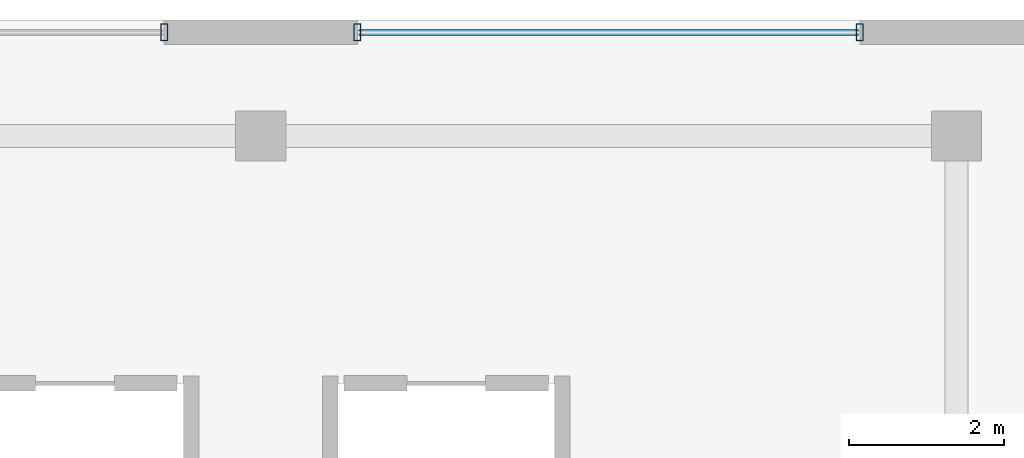
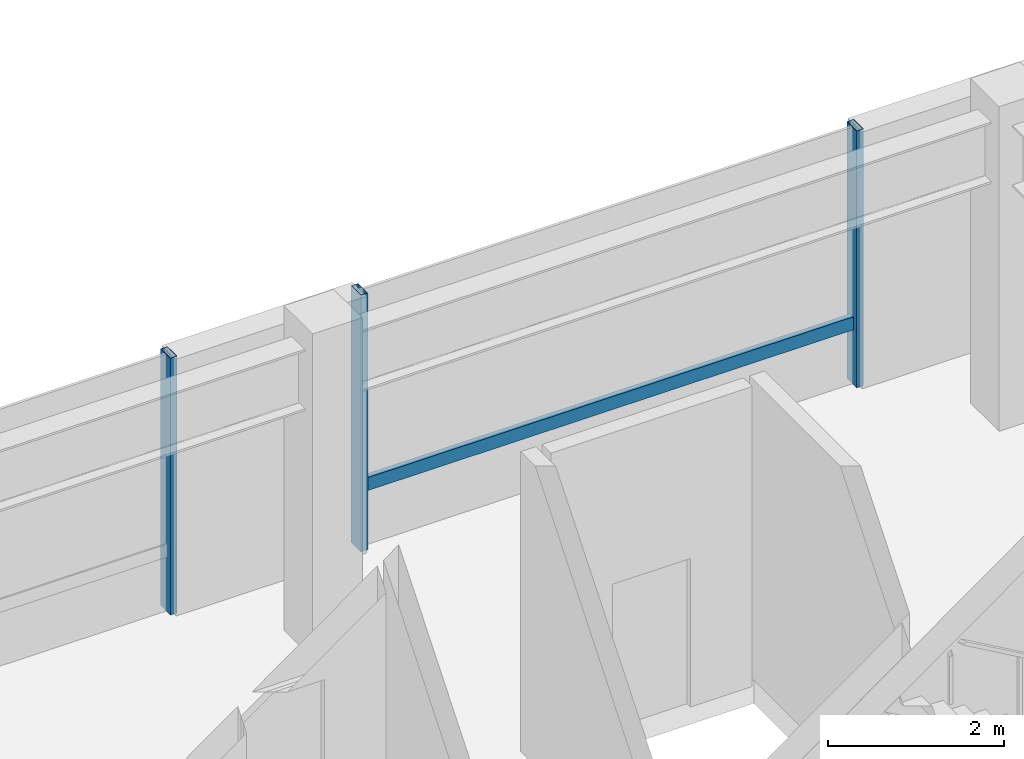
# One storey, part 6 of 22: 4 members, 2 elements without a shape of their own.
"""IFC4 building model written with IfcOpenShell, lengths in metres."""

from ifc_helpers import new_model, si_unit, direction, frame, origin, origin_2d, place, context, subcontext, project, spatial, hollow_rectangle, extrude, material, material_profile, profile_set, type_object, element, aggregate, save


model = new_model("IFC4")

# Units and contexts
model_context = context("Model", 3, precision=1e-05, world=origin(), true_north=direction((0.0, 1.0)))
body_context = subcontext(model_context, "Body", "Model", "MODEL_VIEW")
ifc_project = project(units=[si_unit("LENGTHUNIT", "METRE"), si_unit("AREAUNIT", "SQUARE_METRE"), si_unit("VOLUMEUNIT", "CUBIC_METRE"), si_unit("PLANEANGLEUNIT", "RADIAN"), si_unit("MASSUNIT", "GRAM", prefix="KILO")], contexts=[model_context])

# Site, building, storey
site_placement = place(None, origin())
site = spatial("IfcSite", under=ifc_project, at=site_placement, CompositionType="ELEMENT")
building_placement = place(site_placement, origin())
building = spatial("IfcBuilding", under=site, at=building_placement, Name="Thornwick Lancets Civic Towers", CompositionType="ELEMENT")
storey_placement = place(building_placement, frame((0.0, 0.0, 18.60009765625)))
storey = spatial("IfcBuildingStorey", under=building, at=storey_placement, Name="L04", CompositionType="ELEMENT", Elevation=18.60009765625)

# Curtain wall, members
ifc_material_1 = material(Name="Terracotta-trimmed cascading podium ribbon curtain wall", Category="masonry")
curtain_wall_type = type_object("IfcCurtainWallType", Name="CW_SYS_02", PredefinedType="NOTDEFINED", material=ifc_material_1)
curtain_wall_1_placement = place(storey_placement, origin())
curtain_wall_1 = element("IfcCurtainWall", 1, at=curtain_wall_1_placement, inside=storey, type_object=curtain_wall_type, Name="L04 Curtain Wall CW-L04-POD-NC-S2", PredefinedType="NOTDEFINED")
ifc_material_2 = material(Name="Thermally broken bronze aluminium S355", Category="steel")
ifc_material_profile_1 = material_profile(ifc_material_2, hollow_rectangle(XDim=0.090087890625, YDim=0.219970703125, WallThickness=0.00634765625, at=origin_2d()), Name="RHS 220x90x6.3")
ifc_profile_set_1 = profile_set([ifc_material_profile_1], Name="Thermally broken bronze aluminium S355")
member_type_1 = type_object("IfcMemberType", Name="CW_MUL_220", PredefinedType="MULLION", material=ifc_profile_set_1)
member_1_placement = place(storey_placement, frame((64.75, 49.340087890625, 0.0), z_axis=(0.0, 0.0, 1.0), x_axis=(1.0, 0.0, 0.0)))
member_1 = element("IfcMember", 2, at=member_1_placement, type_object=member_type_1, Name="CW-L04-POD-NC-S2 Mullion 0", PredefinedType="MULLION", context=body_context, shape_type="SweptSolid", body=[
    extrude(hollow_rectangle(XDim=0.090087890625, YDim=0.219970703125, WallThickness=0.00634765625, at=origin_2d()), origin(), (0.0, 0.0, 1.0), 3.559814453125),
])
member_2_placement = place(storey_placement, frame((58.25, 49.340087890625, 0.0), z_axis=(0.0, 0.0, 1.0), x_axis=(1.0, 0.0, 0.0)))
member_2 = element("IfcMember", 3, at=member_2_placement, type_object=member_type_1, Name="CW-L04-POD-NC-S2 Mullion 1", PredefinedType="MULLION", context=body_context, shape_type="SweptSolid", body=[
    extrude(hollow_rectangle(XDim=0.090087890625, YDim=0.219970703125, WallThickness=0.00634765625, at=origin_2d()), origin(), (0.0, 0.0, 1.0), 3.559814453125),
])

# Curtain wall, member
curtain_wall_2_placement = place(storey_placement, origin())
curtain_wall_2 = element("IfcCurtainWall", 4, at=curtain_wall_2_placement, inside=storey, type_object=curtain_wall_type, Name="L04 Curtain Wall CW-L04-POD-NC-S3", PredefinedType="NOTDEFINED")
member_3_placement = place(storey_placement, frame((55.75, 49.340087890625, 0.0), z_axis=(0.0, 0.0, 1.0), x_axis=(1.0, 0.0, 0.0)))
member_3 = element("IfcMember", 5, at=member_3_placement, type_object=member_type_1, Name="CW-L04-POD-NC-S3 Mullion 0", PredefinedType="MULLION", context=body_context, shape_type="SweptSolid", body=[
    extrude(hollow_rectangle(XDim=0.090087890625, YDim=0.219970703125, WallThickness=0.00634765625, at=origin_2d()), origin(), (0.0, 0.0, 1.0), 3.559814453125),
])
aggregate(curtain_wall_2, [member_3])

# Member
ifc_material_profile_2 = material_profile(ifc_material_2, hollow_rectangle(XDim=0.074951171875, YDim=0.179931640625, WallThickness=0.006103515625, at=origin_2d()), Name="RHS 180x75x6")
ifc_profile_set_2 = profile_set([ifc_material_profile_2], Name="Thermally broken bronze aluminium S355")
member_type_2 = type_object("IfcMemberType", Name="CW_TRN_180", PredefinedType="USERDEFINED", material=ifc_profile_set_2)
member_4_placement = place(storey_placement, frame((64.72998046875, 49.340087890625, 0.849853515625), z_axis=(-1.0, 0.0, 0.0), x_axis=(0.0, -1.0, 0.0)))
member_4 = element("IfcMember", 6, at=member_4_placement, type_object=member_type_2, Name="CW-L04-POD-NC-S2 Transom 0", ObjectType="TRANSOM", PredefinedType="USERDEFINED", context=body_context, shape_type="SweptSolid", body=[
    extrude(hollow_rectangle(XDim=0.074951171875, YDim=0.179931640625, WallThickness=0.006103515625, at=origin_2d()), origin(), (0.0, 0.0, 1.0), 6.4599609375),
])

aggregate(curtain_wall_1, [member_1, member_2, member_4])

save(model, "model.ifc")
